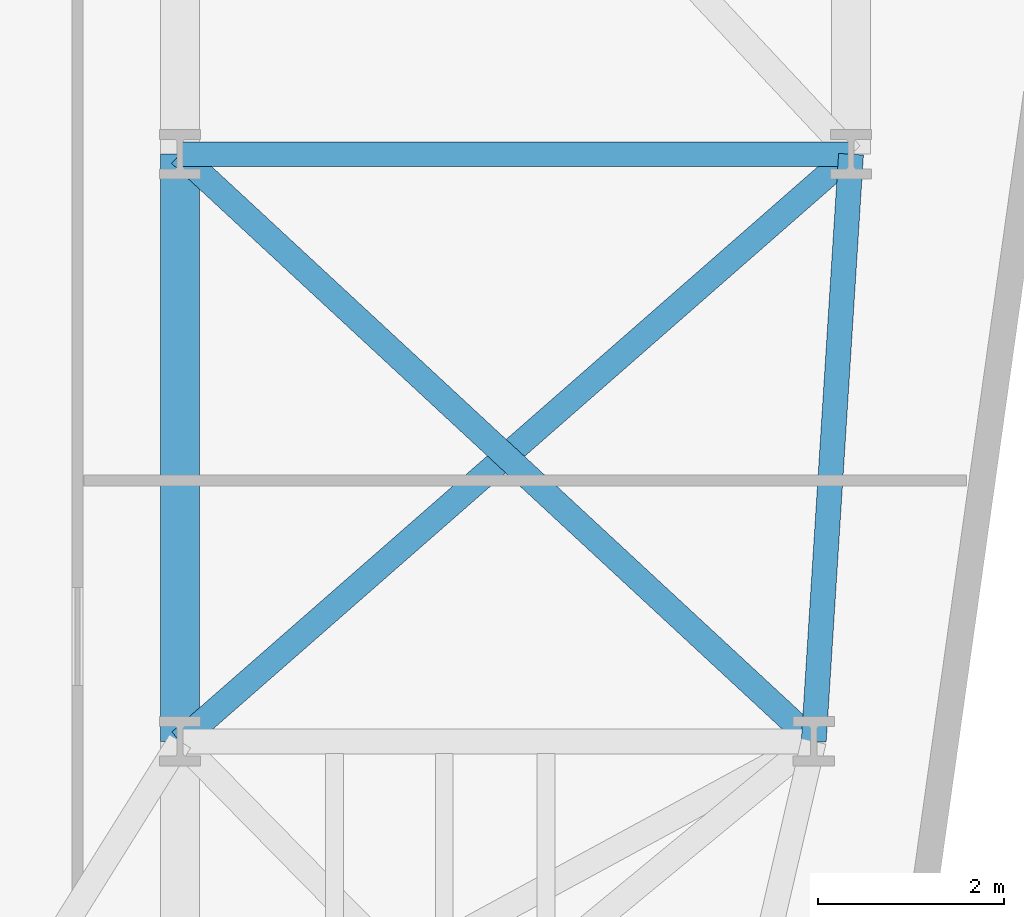
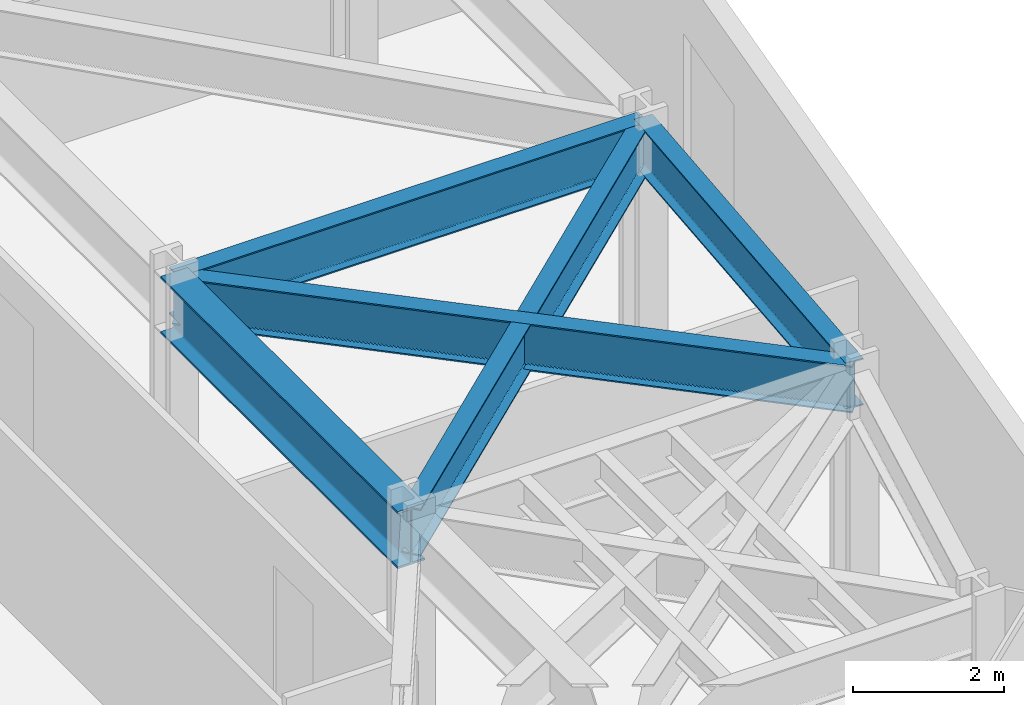
# One storey, part 14 of 25: 5 beams.
"""IFC4 building model written with IfcOpenShell, lengths in metres."""

from ifc_helpers import new_model, si_unit, direction, frame, origin, origin_2d, place, context, subcontext, project, spatial, i_section, extrude, material, material_profile, profile_set, type_object, element, save


model = new_model("IFC4")

# Units and contexts
model_context = context("Model", 3, precision=1e-05, world=origin(), true_north=direction((0.0, 1.0)))
body_context = subcontext(model_context, "Body", "Model", "MODEL_VIEW")
ifc_project = project(units=[si_unit("LENGTHUNIT", "METRE"), si_unit("AREAUNIT", "SQUARE_METRE"), si_unit("VOLUMEUNIT", "CUBIC_METRE"), si_unit("PLANEANGLEUNIT", "RADIAN"), si_unit("MASSUNIT", "GRAM", prefix="KILO")], contexts=[model_context])

# Site, building, storey
site_placement = place(None, origin())
site = spatial("IfcSite", under=ifc_project, at=site_placement, CompositionType="ELEMENT")
building_placement = place(site_placement, origin())
building = spatial("IfcBuilding", under=site, at=building_placement, Name="Kravanh Interchange Tower", CompositionType="ELEMENT")
storey_placement = place(building_placement, frame((0.0, 0.0, 33.5)))
storey = spatial("IfcBuildingStorey", under=building, at=storey_placement, Name="L07", CompositionType="ELEMENT", Elevation=33.5)

# Beams
ifc_material_1 = material(Name="Structural Steel S355", Category="steel")
ifc_material_profile_1 = material_profile(ifc_material_1, i_section(OverallWidth=0.41796875, OverallDepth=0.927001953125, WebThickness=0.019287109375, FlangeThickness=0.031982421875, FilletRadius=0.028076171875, at=origin_2d()), Name="W36X231")
ifc_profile_set_1 = profile_set([ifc_material_profile_1], Name="Structural Steel S355")
beam_type_1 = type_object("IfcBeamType", Name="Floor Beam W36X231 Structural Steel S355", PredefinedType="BEAM", material=ifc_profile_set_1)
beam_1_placement = place(storey_placement, frame((56.0, 14.5, 3.276611328125), z_axis=(0.0, -1.0, 0.0), x_axis=(1.0, 0.0, 0.0)))
element("IfcBeam", 1, at=beam_1_placement, inside=storey, type_object=beam_type_1, Name="L07 Primary Floor Girder 42", PredefinedType="BEAM", context=body_context, shape_type="SweptSolid", body=[
    extrude(i_section(OverallWidth=0.41796875, OverallDepth=0.927001953125, WebThickness=0.019287109375, FlangeThickness=0.031982421875, FilletRadius=0.028076171875, at=origin_2d()), origin(), (0.0, 0.0, 1.0), 6.300048828125),
])
ifc_material_2 = material(Name="Structural Steel S355", Category="steel")
ifc_material_profile_2 = material_profile(ifc_material_2, i_section(OverallWidth=0.26708984375, OverallDepth=0.761962890625, WebThickness=0.014404296875, FlangeThickness=0.021484375, FilletRadius=0.02490234375, at=origin_2d()), Name="W30X116")
ifc_profile_set_2 = profile_set([ifc_material_profile_2], Name="Structural Steel S355")
beam_type_2 = type_object("IfcBeamType", Name="Floor Spandrel W30X116 Structural Steel S355", PredefinedType="SPANDREL", material=ifc_profile_set_2)
beam_2_placement = place(storey_placement, frame((56.0, 14.5, 3.35888671875), z_axis=(1.0, 0.0, 0.0), x_axis=(0.0, 1.0, 0.0)))
element("IfcBeam", 2, at=beam_2_placement, inside=storey, type_object=beam_type_2, Name="L07 Perimeter Spandrel 43", PredefinedType="SPANDREL", context=body_context, shape_type="SweptSolid", body=[
    extrude(i_section(OverallWidth=0.26708984375, OverallDepth=0.761962890625, WebThickness=0.014404296875, FlangeThickness=0.021484375, FilletRadius=0.02490234375, at=origin_2d()), origin(), (0.0, 0.0, 1.0), 7.199951171875),
])
beam_3_placement = place(storey_placement, frame((56.0, 14.5, 3.35888671875), z_axis=(0.733561267923, -0.679623326706, 0.0), x_axis=(0.679623326706, 0.733561267923, 0.0)))
element("IfcBeam", 3, at=beam_3_placement, inside=storey, type_object=beam_type_2, Name="L07 Perimeter Spandrel 45", PredefinedType="SPANDREL", context=body_context, shape_type="SweptSolid", body=[
    extrude(i_section(OverallWidth=0.26708984375, OverallDepth=0.761962890625, WebThickness=0.014404296875, FlangeThickness=0.021484375, FilletRadius=0.02490234375, at=origin_2d()), origin(), (0.0, 0.0, 1.0), 9.27001953125),
])
beam_4_placement = place(storey_placement, frame((63.199951171875, 14.5, 3.35888671875), z_axis=(-0.063348576418, -0.99799146182, 0.0), x_axis=(0.99799146182, -0.063348576418, 0.0)))
element("IfcBeam", 4, at=beam_4_placement, inside=storey, type_object=beam_type_2, Name="L07 Perimeter Spandrel 46", PredefinedType="SPANDREL", context=body_context, shape_type="SweptSolid", body=[
    extrude(i_section(OverallWidth=0.26708984375, OverallDepth=0.761962890625, WebThickness=0.014404296875, FlangeThickness=0.021484375, FilletRadius=0.02490234375, at=origin_2d()), origin(), (0.0, 0.0, 1.0), 6.312744140625),
])
beam_5_placement = place(storey_placement, frame((63.199951171875, 14.5, 3.35888671875), z_axis=(-0.752571952274, -0.658510027752, 0.0), x_axis=(0.658510027752, -0.752571952274, 0.0)))
element("IfcBeam", 5, at=beam_5_placement, inside=storey, type_object=beam_type_2, Name="L07 Perimeter Spandrel 48", PredefinedType="SPANDREL", context=body_context, shape_type="SweptSolid", body=[
    extrude(i_section(OverallWidth=0.26708984375, OverallDepth=0.761962890625, WebThickness=0.014404296875, FlangeThickness=0.021484375, FilletRadius=0.02490234375, at=origin_2d()), origin(), (0.0, 0.0, 1.0), 9.567138671875),
])

save(model, "model.ifc")
